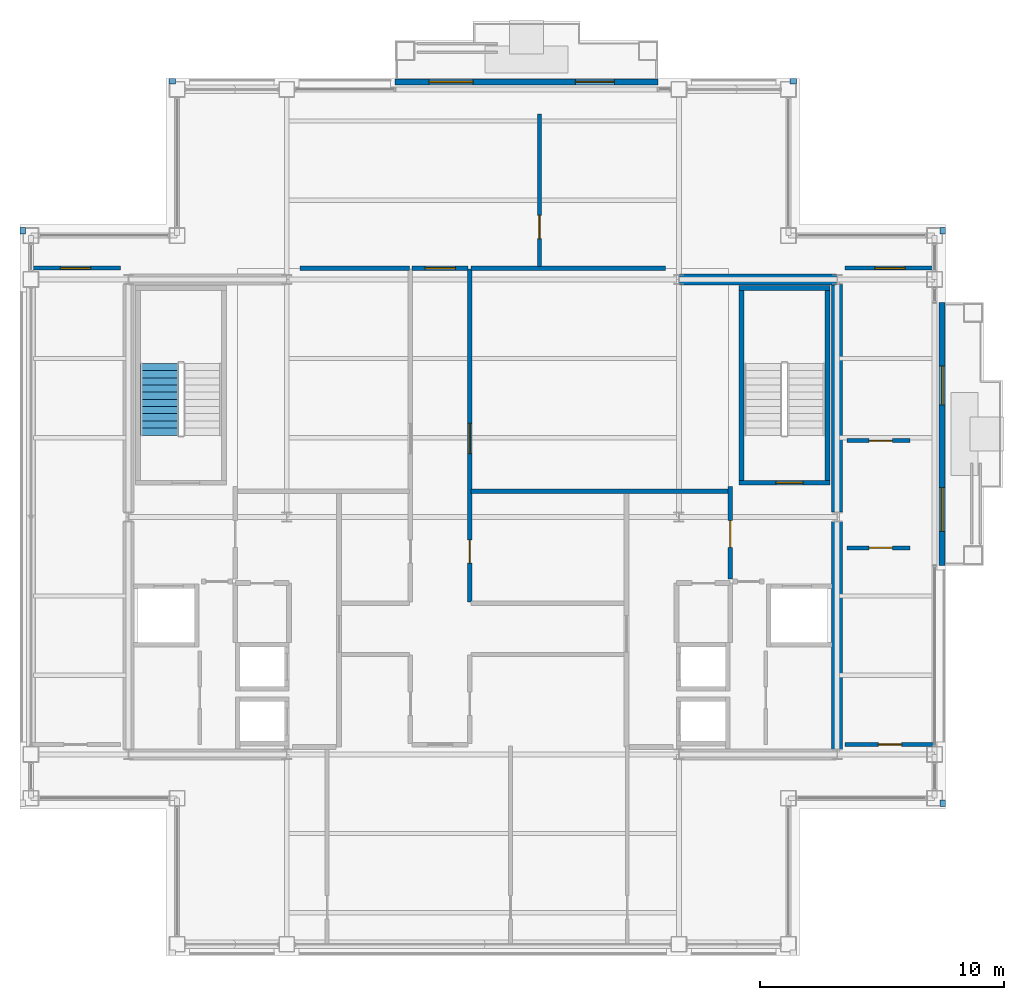
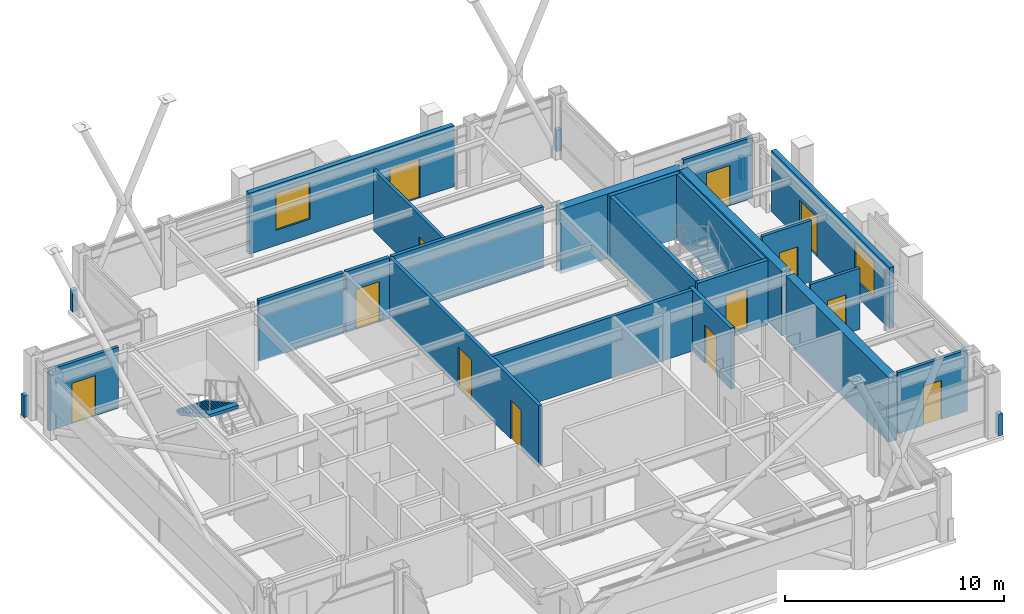
# One storey, part 27 of 30: 26 walls, 13 doors, 2 windows, 1 stair flight, 15 openings, 1 element without a shape of its own.
"""IFC4 building model written with IfcOpenShell, lengths in metres."""

from ifc_helpers import new_model, si_unit, direction, frame, frame_2d, origin, place, context, subcontext, project, spatial, polyline, rectangle, outline, extrude, material, layer, layer_set, type_object, element, fill, aggregate, save


model = new_model("IFC4")

# Units and contexts
model_context = context("Model", 3, precision=1e-05, world=origin(), true_north=direction((0.0, 1.0)))
body_context = subcontext(model_context, "Body", "Model", "MODEL_VIEW")
ifc_project = project(units=[si_unit("LENGTHUNIT", "METRE"), si_unit("AREAUNIT", "SQUARE_METRE"), si_unit("VOLUMEUNIT", "CUBIC_METRE"), si_unit("PLANEANGLEUNIT", "RADIAN"), si_unit("MASSUNIT", "GRAM", prefix="KILO")], contexts=[model_context])

# Site, building, storey
site_placement = place(None, origin())
site = spatial("IfcSite", under=ifc_project, at=site_placement, CompositionType="ELEMENT")
building_placement = place(site_placement, origin())
building = spatial("IfcBuilding", under=site, at=building_placement, Name="Brelmoor Portico Tower", CompositionType="ELEMENT")
storey_placement = place(building_placement, frame((0.0, 0.0, 236.39990234375)))
storey = spatial("IfcBuildingStorey", under=building, at=storey_placement, Name="L62", CompositionType="ELEMENT", Elevation=236.39990234375)

# Walls
ifc_material_1 = material(Name="Concrete C50", Category="concrete")
ifc_layer_1 = layer(ifc_material_1, 0.449951171875)
ifc_layer_set_1 = layer_set([ifc_layer_1], Name="Concrete C50")
wall_type_1 = type_object("IfcWallType", Name="WL-CORE-450", PredefinedType="SHEAR", material=ifc_layer_set_1)
wall_1_placement = place(storey_placement, frame((8.070068359375, 9.75, -0.199951171875), z_axis=(0.0, 0.0, 1.0), x_axis=(1.0, 0.0, 0.0)))
element("IfcWall", 1, at=wall_1_placement, inside=storey, type_object=wall_type_1, Name="L62 EC North Shear Wall", PredefinedType="SHEAR", context=body_context, shape_type="SweptSolid", body=[
    extrude(rectangle(XDim=6.4599609375, YDim=0.449951171875, at=frame_2d((3.22998046875, 0.0))), origin(), (0.0, 0.0, 1.0), 3.60009765625),
])
for number, where, z_axis, x_axis, name in (
    (2, (14.550048828125, -9.550048828125, -0.199951171875), (0.0, 0.0, 1.0), (0.0, 1.0, 0.0), "L62 EC Outer South Shear Wall"),
    (3, (14.550048828125, 0.199951171875, -0.199951171875), (0.0, 0.0, 1.0), (0.0, 1.0, 0.0), "L62 EC Outer North Shear Wall"),
):
    element("IfcWall", number, at=place(storey_placement, frame(where, z_axis=z_axis, x_axis=x_axis)), inside=storey, type_object=wall_type_1, Name=name, PredefinedType="SHEAR", context=body_context, shape_type="SweptSolid", body=[
        extrude(rectangle(XDim=9.35009765625, YDim=0.449951171875, at=frame_2d((4.675048828125, 0.0))), origin(), (0.0, 0.0, 1.0), 3.60009765625),
    ])

# Wall, openings, door, window
ifc_material_2 = material(Name="Precast Concrete C40 Insulated Facade Wall", Category="concrete")
ifc_layer_2 = layer(ifc_material_2, 0.25)
ifc_layer_set_2 = layer_set([ifc_layer_2], Name="Precast Concrete C40 Insulated Facade Wall")
wall_type_2 = type_object("IfcWallType", Name="WL-EXT-250", PredefinedType="STANDARD", material=ifc_layer_set_2)
wall_2_placement = place(storey_placement, frame((-3.60009765625, 17.860107421875, 0.0), z_axis=(0.0, 0.0, 1.0), x_axis=(1.0, 0.0, 0.0)))
wall_2 = element("IfcWall", 4, at=wall_2_placement, inside=storey, type_object=wall_type_2, Name="L62 Loggia Threshold Wall N-1", PredefinedType="STANDARD", context=body_context, shape_type="SweptSolid", body=[
    extrude(rectangle(XDim=10.800048828125, YDim=0.25, at=frame_2d((5.39990234375, 0.0))), origin(), (0.0, 0.0, 1.0), 3.400146484375),
])
opening_1_placement = place(wall_2_placement, frame((7.39990234375, 0.0, 0.0)))
opening_1 = element("IfcOpeningElement", 5, at=opening_1_placement, cuts=wall_2, Name="Opening D-TB1", PredefinedType="OPENING", context=body_context, shape_type="SweptSolid", body=[
    extrude(rectangle(XDim=1.60009765625, YDim=2.199951171875, at=frame_2d((0.800048828125, 1.10009765625))), frame((0.0, 0.135009765625, 0.0), z_axis=(0.0, -1.0, 0.0), x_axis=(1.0, 0.0, 0.0)), (0.0, 0.0, 1.0), 0.27001953125),
])
opening_2_placement = place(wall_2_placement, frame((1.39990234375, 0.0, 0.85009765625)))
opening_2 = element("IfcOpeningElement", 6, at=opening_2_placement, cuts=wall_2, Name="Opening W-03C", PredefinedType="OPENING", context=body_context, shape_type="SweptSolid", body=[
    extrude(rectangle(XDim=1.800048828125, YDim=2.050048828125, at=frame_2d((0.89990234375, 1.02490234375))), frame((0.0, 0.135009765625, 0.0), z_axis=(0.0, -1.0, 0.0), x_axis=(1.0, 0.0, 0.0)), (0.0, 0.0, 1.0), 0.27001953125),
])
ifc_material_3 = material(Name="Double-Leaf Thermally Broken Terrace Door", Category="aluminium")
door_type_1 = type_object("IfcDoorType", Name="DR-BALCONY-1600", OperationType="NOTDEFINED", PredefinedType="DOOR", material=ifc_material_3)
door_1_placement = place(opening_1_placement, origin())
door_1 = element("IfcDoor", 7, at=door_1_placement, inside=storey, type_object=door_type_1, Name="D-2582 L62 Tree Balcony Double Door N", OperationType="DOUBLE_DOOR_SINGLE_SWING", OverallHeight=2.199951171875, OverallWidth=1.60009765625, PredefinedType="DOOR", context=body_context, shape_type="SweptSolid", body=[
    extrude(rectangle(XDim=1.60009765625, YDim=2.199951171875, at=frame_2d((0.800048828125, 1.10009765625))), frame((0.0, 0.02490234375, 0.0), z_axis=(0.0, -1.0, 0.0), x_axis=(1.0, 0.0, 0.0)), (0.0, 0.0, 1.0), 0.050048828125),
])
fill(opening_1, door_1)
ifc_material_4 = material(Name="Thermally Broken Aluminium Low-E Window", Category="aluminium")
window_type = type_object("IfcWindowType", Name="WN-LOGGIA-1800x2050", PartitioningType="SINGLE_PANEL", PredefinedType="WINDOW", material=ifc_material_4)
window_1_placement = place(opening_2_placement, origin())
window_1 = element("IfcWindow", 8, at=window_1_placement, inside=storey, type_object=window_type, Name="L62 Loggia Window N", OverallHeight=2.050048828125, OverallWidth=1.800048828125, PartitioningType="SINGLE_PANEL", PredefinedType="WINDOW", context=body_context, shape_type="SweptSolid", body=[
    extrude(rectangle(XDim=1.800048828125, YDim=2.050048828125, at=frame_2d((0.89990234375, 1.02490234375))), frame((0.0, 0.030029296875, 0.0), z_axis=(0.0, -1.0, 0.0), x_axis=(1.0, 0.0, 0.0)), (0.0, 0.0, 1.0), 0.06005859375),
])
fill(opening_2, window_1)

wall_3_placement = place(storey_placement, frame((18.860107421875, -2.0, 0.0), z_axis=(0.0, 0.0, 1.0), x_axis=(0.0, 1.0, 0.0)))
wall_3 = element("IfcWall", 9, at=wall_3_placement, inside=storey, type_object=wall_type_2, Name="L62 Loggia Threshold Wall E-1", PredefinedType="STANDARD", context=body_context, shape_type="SweptSolid", body=[
    extrude(rectangle(XDim=10.800048828125, YDim=0.25, at=frame_2d((5.39990234375, 0.0))), origin(), (0.0, 0.0, 1.0), 3.400146484375),
])
opening_3_placement = place(wall_3_placement, frame((6.60009765625, 0.0, 0.0)))
opening_3 = element("IfcOpeningElement", 10, at=opening_3_placement, cuts=wall_3, Name="Opening D-TB1", PredefinedType="OPENING", context=body_context, shape_type="SweptSolid", body=[
    extrude(rectangle(XDim=1.60009765625, YDim=2.199951171875, at=frame_2d((0.800048828125, 1.10009765625))), frame((0.0, 0.135009765625, 0.0), z_axis=(0.0, -1.0, 0.0), x_axis=(1.0, 0.0, 0.0)), (0.0, 0.0, 1.0), 0.27001953125),
])
opening_4_placement = place(wall_3_placement, frame((1.39990234375, 0.0, 0.85009765625)))
opening_4 = element("IfcOpeningElement", 11, at=opening_4_placement, cuts=wall_3, Name="Opening W-03C", PredefinedType="OPENING", context=body_context, shape_type="SweptSolid", body=[
    extrude(rectangle(XDim=1.800048828125, YDim=2.050048828125, at=frame_2d((0.89990234375, 1.02490234375))), frame((0.0, 0.135009765625, 0.0), z_axis=(0.0, -1.0, 0.0), x_axis=(1.0, 0.0, 0.0)), (0.0, 0.0, 1.0), 0.27001953125),
])
door_2_placement = place(opening_3_placement, origin())
door_2 = element("IfcDoor", 12, at=door_2_placement, inside=storey, type_object=door_type_1, Name="D-2581 L62 Tree Balcony Double Door E", OperationType="DOUBLE_DOOR_SINGLE_SWING", OverallHeight=2.199951171875, OverallWidth=1.60009765625, PredefinedType="DOOR", context=body_context, shape_type="SweptSolid", body=[
    extrude(rectangle(XDim=1.60009765625, YDim=2.199951171875, at=frame_2d((0.800048828125, 1.10009765625))), frame((0.0, 0.02490234375, 0.0), z_axis=(0.0, -1.0, 0.0), x_axis=(1.0, 0.0, 0.0)), (0.0, 0.0, 1.0), 0.050048828125),
])
fill(opening_3, door_2)
window_2_placement = place(opening_4_placement, origin())
window_2 = element("IfcWindow", 13, at=window_2_placement, inside=storey, type_object=window_type, Name="L62 Loggia Window E", OverallHeight=2.050048828125, OverallWidth=1.800048828125, PartitioningType="SINGLE_PANEL", PredefinedType="WINDOW", context=body_context, shape_type="SweptSolid", body=[
    extrude(rectangle(XDim=1.800048828125, YDim=2.050048828125, at=frame_2d((0.89990234375, 1.02490234375))), frame((0.0, 0.030029296875, 0.0), z_axis=(0.0, -1.0, 0.0), x_axis=(1.0, 0.0, 0.0)), (0.0, 0.0, 1.0), 0.06005859375),
])
fill(opening_4, window_2)

# Walls
ifc_material_5 = material(Name="Concrete C40 Parapet Upstand", Category="concrete")
ifc_layer_3 = layer(ifc_material_5, 0.219970703125)
ifc_layer_set_3 = layer_set([ifc_layer_3], Name="Concrete C40 Parapet Upstand")
wall_type_3 = type_object("IfcWallType", Name="WL-PARAPET-220", PredefinedType="PARAPET", material=ifc_layer_set_3)
for number, where, z_axis, x_axis, name in (
    (14, (18.889892578125, -11.889892578125, 0.0), (0.0, 0.0, 1.0), (0.0, 1.0, 0.0), "L62 Chamfer Vertex Parapet Pier SE2"),
    (15, (-12.889892578125, 17.889892578125, 0.0), (0.0, 0.0, 1.0), (1.0, 0.0, 0.0), "L62 Chamfer Vertex Parapet Pier NW1"),
    (16, (-18.889892578125, 11.6201171875, 0.0), (0.0, 0.0, 1.0), (0.0, 1.0, 0.0), "L62 Chamfer Vertex Parapet Pier NW2"),
    (17, (12.6201171875, 17.889892578125, 0.0), (0.0, 0.0, 1.0), (1.0, 0.0, 0.0), "L62 Chamfer Vertex Parapet Pier NE1"),
    (18, (18.889892578125, 11.6201171875, 0.0), (0.0, 0.0, 1.0), (0.0, 1.0, 0.0), "L62 Chamfer Vertex Parapet Pier NE2"),
):
    element("IfcWall", number, at=place(storey_placement, frame(where, z_axis=z_axis, x_axis=x_axis)), inside=storey, type_object=wall_type_3, Name=name, PredefinedType="PARAPET", context=body_context, shape_type="SweptSolid", body=[
        extrude(rectangle(XDim=0.269775390625, YDim=0.219970703125, at=frame_2d((0.134765625, 0.0))), origin(), (0.0, 0.0, 1.0), 1.2001953125),
    ])

# Wall, opening, door
ifc_material_6 = material(Name="Twin-Frame Acoustic Partition", Category="gypsum")
ifc_layer_4 = layer(ifc_material_6, 0.159912109375)
ifc_layer_set_4 = layer_set([ifc_layer_4], Name="Twin-Frame Acoustic Partition")
wall_type_4 = type_object("IfcWallType", Name="WL-PART-160", PredefinedType="PARTITIONING", material=ifc_layer_set_4)
wall_4_placement = place(storey_placement, frame((2.330078125, 10.27001953125, 0.0), z_axis=(0.0, 0.0, 1.0), x_axis=(0.0, 1.0, 0.0)))
wall_4 = element("IfcWall", 19, at=wall_4_placement, inside=storey, type_object=wall_type_4, Name="L62 North Suite Partition 1", PredefinedType="PARTITIONING", context=body_context, shape_type="SweptSolid", body=[
    extrude(rectangle(XDim=6.280029296875, YDim=0.159912109375, at=frame_2d((3.14013671875, 0.0))), origin(), (0.0, 0.0, 1.0), 3.400146484375),
])
opening_5_placement = place(wall_4_placement, frame((1.14990234375, 0.0, 0.0)))
opening_5 = element("IfcOpeningElement", 20, at=opening_5_placement, cuts=wall_4, Name="Opening D-IN2", PredefinedType="OPENING", context=body_context, shape_type="SweptSolid", body=[
    extrude(rectangle(XDim=0.9599609375, YDim=2.179931640625, at=frame_2d((0.47998046875, 1.08984375))), frame((0.0, 0.08984375, 0.0), z_axis=(0.0, -1.0, 0.0), x_axis=(1.0, 0.0, 0.0)), (0.0, 0.0, 1.0), 0.179931640625),
])
ifc_material_7 = material(Name="Lacquered Timber Suite Door", Category="wood")
door_type_2 = type_object("IfcDoorType", Name="DR-INT-950", OperationType="NOTDEFINED", PredefinedType="DOOR", material=ifc_material_7)
door_3_placement = place(opening_5_placement, origin())
door_3 = element("IfcDoor", 21, at=door_3_placement, inside=storey, type_object=door_type_2, Name="D-2570 L62 North Suite Connecting Door 1", OperationType="SINGLE_SWING_RIGHT", OverallHeight=2.179931640625, OverallWidth=0.9599609375, PredefinedType="DOOR", context=body_context, shape_type="SweptSolid", body=[
    extrude(rectangle(XDim=0.9599609375, YDim=2.179931640625, at=frame_2d((0.47998046875, 1.08984375))), frame((0.0, 0.02490234375, 0.0), z_axis=(0.0, -1.0, 0.0), x_axis=(1.0, 0.0, 0.0)), (0.0, 0.0, 1.0), 0.050048828125),
])
fill(opening_5, door_3)

wall_5_placement = place(storey_placement, frame((-18.56005859375, 10.2099609375, 0.0), z_axis=(0.0, 0.0, 1.0), x_axis=(1.0, 0.0, 0.0)))
wall_5 = element("IfcWall", 22, at=wall_5_placement, inside=storey, type_object=wall_type_4, Name="L62 North Wing Suite Wall WL", PredefinedType="PARTITIONING", context=body_context, shape_type="SweptSolid", body=[
    extrude(rectangle(XDim=3.68017578125, YDim=0.159912109375, at=frame_2d((1.840087890625, 0.0))), origin(), (0.0, 0.0, 1.0), 3.400146484375),
])
opening_6_placement = place(wall_5_placement, frame((1.219970703125, 0.0, 0.0)))
opening_6 = element("IfcOpeningElement", 23, at=opening_6_placement, cuts=wall_5, Name="Opening D-SU1", PredefinedType="OPENING", context=body_context, shape_type="SweptSolid", body=[
    extrude(rectangle(XDim=1.239990234375, YDim=2.239990234375, at=frame_2d((0.6201171875, 1.1201171875))), frame((0.0, 0.08984375, 0.0), z_axis=(0.0, -1.0, 0.0), x_axis=(1.0, 0.0, 0.0)), (0.0, 0.0, 1.0), 0.179931640625),
])
ifc_material_8 = material(Name="Glazed Timber Executive Suite Door", Category="wood")
door_type_3 = type_object("IfcDoorType", Name="DR-SUITE-1200", OperationType="NOTDEFINED", PredefinedType="DOOR", material=ifc_material_8)
door_4_placement = place(opening_6_placement, origin())
door_4 = element("IfcDoor", 24, at=door_4_placement, inside=storey, type_object=door_type_3, Name="D-2572 L62 WL Wing Suite Connecting Door", OperationType="SINGLE_SWING_RIGHT", OverallHeight=2.239990234375, OverallWidth=1.239990234375, PredefinedType="DOOR", context=body_context, shape_type="SweptSolid", body=[
    extrude(rectangle(XDim=1.239990234375, YDim=2.239990234375, at=frame_2d((0.6201171875, 1.1201171875))), frame((0.0, 0.02490234375, 0.0), z_axis=(0.0, -1.0, 0.0), x_axis=(1.0, 0.0, 0.0)), (0.0, 0.0, 1.0), 0.050048828125),
])
fill(opening_6, door_4)

wall_6_placement = place(storey_placement, frame((14.8798828125, 10.2099609375, 0.0), z_axis=(0.0, 0.0, 1.0), x_axis=(1.0, 0.0, 0.0)))
wall_6 = element("IfcWall", 25, at=wall_6_placement, inside=storey, type_object=wall_type_4, Name="L62 North Wing Suite Wall ER", PredefinedType="PARTITIONING", context=body_context, shape_type="SweptSolid", body=[
    extrude(rectangle(XDim=3.68017578125, YDim=0.159912109375, at=frame_2d((1.840087890625, 0.0))), origin(), (0.0, 0.0, 1.0), 3.400146484375),
])
opening_7_placement = place(wall_6_placement, frame((1.219970703125, 0.0, 0.0)))
opening_7 = element("IfcOpeningElement", 26, at=opening_7_placement, cuts=wall_6, Name="Opening D-SU1", PredefinedType="OPENING", context=body_context, shape_type="SweptSolid", body=[
    extrude(rectangle(XDim=1.239990234375, YDim=2.239990234375, at=frame_2d((0.6201171875, 1.1201171875))), frame((0.0, 0.08984375, 0.0), z_axis=(0.0, -1.0, 0.0), x_axis=(1.0, 0.0, 0.0)), (0.0, 0.0, 1.0), 0.179931640625),
])
door_5_placement = place(opening_7_placement, origin())
door_5 = element("IfcDoor", 27, at=door_5_placement, inside=storey, type_object=door_type_3, Name="D-2571 L62 ER Wing Suite Connecting Door", OperationType="SINGLE_SWING_LEFT", OverallHeight=2.239990234375, OverallWidth=1.239990234375, PredefinedType="DOOR", context=body_context, shape_type="SweptSolid", body=[
    extrude(rectangle(XDim=1.239990234375, YDim=2.239990234375, at=frame_2d((0.6201171875, 1.1201171875))), frame((0.0, 0.02490234375, 0.0), z_axis=(0.0, -1.0, 0.0), x_axis=(1.0, 0.0, 0.0)), (0.0, 0.0, 1.0), 0.050048828125),
])
fill(opening_7, door_5)

wall_7_placement = place(storey_placement, frame((14.8798828125, -9.35009765625, 0.0), z_axis=(0.0, 0.0, 1.0), x_axis=(1.0, 0.0, 0.0)))
wall_7 = element("IfcWall", 28, at=wall_7_placement, inside=storey, type_object=wall_type_4, Name="L62 South Wing Closure ER", PredefinedType="PARTITIONING", context=body_context, shape_type="SweptSolid", body=[
    extrude(rectangle(XDim=3.68017578125, YDim=0.159912109375, at=frame_2d((1.840087890625, 0.0))), origin(), (0.0, 0.0, 1.0), 3.400146484375),
])
opening_8_placement = place(wall_7_placement, frame((1.360107421875, 0.0, 0.0)))
opening_8 = element("IfcOpeningElement", 29, at=opening_8_placement, cuts=wall_7, Name="Opening D-IN2", PredefinedType="OPENING", context=body_context, shape_type="SweptSolid", body=[
    extrude(rectangle(XDim=0.9599609375, YDim=2.179931640625, at=frame_2d((0.47998046875, 1.08984375))), frame((0.0, 0.08984375, 0.0), z_axis=(0.0, -1.0, 0.0), x_axis=(1.0, 0.0, 0.0)), (0.0, 0.0, 1.0), 0.179931640625),
])
door_6_placement = place(opening_8_placement, origin())
door_6 = element("IfcDoor", 30, at=door_6_placement, inside=storey, type_object=door_type_2, Name="D-2579 L62 ER Wing South Suite Door", OperationType="SINGLE_SWING_LEFT", OverallHeight=2.179931640625, OverallWidth=0.9599609375, PredefinedType="DOOR", context=body_context, shape_type="SweptSolid", body=[
    extrude(rectangle(XDim=0.9599609375, YDim=2.179931640625, at=frame_2d((0.47998046875, 1.08984375))), frame((0.0, 0.02490234375, 0.0), z_axis=(0.0, -1.0, 0.0), x_axis=(1.0, 0.0, 0.0)), (0.0, 0.0, 1.0), 0.050048828125),
])
fill(opening_8, door_6)

wall_8_placement = place(storey_placement, frame((14.9599609375, -1.27001953125, 0.0), z_axis=(0.0, 0.0, 1.0), x_axis=(1.0, 0.0, 0.0)))
wall_8 = element("IfcWall", 31, at=wall_8_placement, inside=storey, type_object=wall_type_4, Name="L62 E Wing Partition 1", PredefinedType="PARTITIONING", context=body_context, shape_type="SweptSolid", body=[
    extrude(rectangle(XDim=2.590087890625, YDim=0.159912109375, at=frame_2d((1.294921875, 0.0))), origin(), (0.0, 0.0, 1.0), 3.400146484375),
])
opening_9_placement = place(wall_8_placement, frame((0.89990234375, 0.0, 0.0)))
opening_9 = element("IfcOpeningElement", 32, at=opening_9_placement, cuts=wall_8, Name="Opening D-IN2", PredefinedType="OPENING", context=body_context, shape_type="SweptSolid", body=[
    extrude(rectangle(XDim=0.9599609375, YDim=2.179931640625, at=frame_2d((0.47998046875, 1.08984375))), frame((0.0, 0.08984375, 0.0), z_axis=(0.0, -1.0, 0.0), x_axis=(1.0, 0.0, 0.0)), (0.0, 0.0, 1.0), 0.179931640625),
])
door_7_placement = place(opening_9_placement, origin())
door_7 = element("IfcDoor", 33, at=door_7_placement, inside=storey, type_object=door_type_2, Name="D-2583 L62 E Wing Suite Connecting Door 1", OperationType="SINGLE_SWING_RIGHT", OverallHeight=2.179931640625, OverallWidth=0.9599609375, PredefinedType="DOOR", context=body_context, shape_type="SweptSolid", body=[
    extrude(rectangle(XDim=0.9599609375, YDim=2.179931640625, at=frame_2d((0.47998046875, 1.08984375))), frame((0.0, 0.02490234375, 0.0), z_axis=(0.0, -1.0, 0.0), x_axis=(1.0, 0.0, 0.0)), (0.0, 0.0, 1.0), 0.050048828125),
])
fill(opening_9, door_7)

wall_9_placement = place(storey_placement, frame((14.9599609375, 3.1298828125, 0.0), z_axis=(0.0, 0.0, 1.0), x_axis=(1.0, 0.0, 0.0)))
wall_9 = element("IfcWall", 34, at=wall_9_placement, inside=storey, type_object=wall_type_4, Name="L62 E Wing Partition 2", PredefinedType="PARTITIONING", context=body_context, shape_type="SweptSolid", body=[
    extrude(rectangle(XDim=2.590087890625, YDim=0.159912109375, at=frame_2d((1.294921875, 0.0))), origin(), (0.0, 0.0, 1.0), 3.400146484375),
])
opening_10_placement = place(wall_9_placement, frame((0.89990234375, 0.0, 0.0)))
opening_10 = element("IfcOpeningElement", 35, at=opening_10_placement, cuts=wall_9, Name="Opening D-IN2", PredefinedType="OPENING", context=body_context, shape_type="SweptSolid", body=[
    extrude(rectangle(XDim=0.9599609375, YDim=2.179931640625, at=frame_2d((0.47998046875, 1.08984375))), frame((0.0, 0.08984375, 0.0), z_axis=(0.0, -1.0, 0.0), x_axis=(1.0, 0.0, 0.0)), (0.0, 0.0, 1.0), 0.179931640625),
])
door_8_placement = place(opening_10_placement, origin())
door_8 = element("IfcDoor", 36, at=door_8_placement, inside=storey, type_object=door_type_2, Name="D-2584 L62 E Wing Suite Connecting Door 2", OperationType="SINGLE_SWING_LEFT", OverallHeight=2.179931640625, OverallWidth=0.9599609375, PredefinedType="DOOR", context=body_context, shape_type="SweptSolid", body=[
    extrude(rectangle(XDim=0.9599609375, YDim=2.179931640625, at=frame_2d((0.47998046875, 1.08984375))), frame((0.0, 0.02490234375, 0.0), z_axis=(0.0, -1.0, 0.0), x_axis=(1.0, 0.0, 0.0)), (0.0, 0.0, 1.0), 0.050048828125),
])
fill(opening_10, door_8)

# Walls
ifc_material_9 = material(Name="Acoustic Corridor Fire Partition", Category="gypsum")
ifc_layer_5 = layer(ifc_material_9, 0.179931640625)
ifc_layer_set_5 = layer_set([ifc_layer_5], Name="Acoustic Corridor Fire Partition")
wall_type_5 = type_object("IfcWallType", Name="WL-PART-180", PredefinedType="PARTITIONING", material=ifc_layer_set_5)
wall_10_placement = place(storey_placement, frame((-7.5, 10.2099609375, 0.0), z_axis=(0.0, 0.0, 1.0), x_axis=(1.0, 0.0, 0.0)))
element("IfcWall", 37, at=wall_10_placement, inside=storey, type_object=wall_type_5, Name="L62 West Reclaimed Suite North Wall", PredefinedType="PARTITIONING", context=body_context, shape_type="SweptSolid", body=[
    extrude(rectangle(XDim=4.489990234375, YDim=0.179931640625, at=frame_2d((2.2451171875, 0.0))), origin(), (0.0, 0.0, 1.0), 3.400146484375),
])
wall_11_placement = place(storey_placement, frame((-0.489990234375, 1.050048828125, 0.0), z_axis=(0.0, 0.0, 1.0), x_axis=(1.0, 0.0, 0.0)))
element("IfcWall", 38, at=wall_11_placement, inside=storey, type_object=wall_type_5, Name="L62 East Suite South Wall", PredefinedType="PARTITIONING", context=body_context, shape_type="SweptSolid", body=[
    extrude(rectangle(XDim=10.550048828125, YDim=0.179931640625, at=frame_2d((5.27490234375, 0.0))), origin(), (0.0, 0.0, 1.0), 3.400146484375),
])

# Wall, openings, doors
wall_12_placement = place(storey_placement, frame((-0.530029296875, -3.5, 0.0), z_axis=(0.0, 0.0, 1.0), x_axis=(0.0, 1.0, 0.0)))
wall_12 = element("IfcWall", 39, at=wall_12_placement, inside=storey, type_object=wall_type_5, Name="L62 Central Cross East Wall", PredefinedType="PARTITIONING", context=body_context, shape_type="SweptSolid", body=[
    extrude(rectangle(XDim=13.669921875, YDim=0.179931640625, at=frame_2d((6.8349609375, 0.0))), origin(), (0.0, 0.0, 1.0), 3.400146484375),
])
opening_11_placement = place(wall_12_placement, frame((6.10009765625, 0.0, 0.0)))
opening_11 = element("IfcOpeningElement", 40, at=opening_11_placement, cuts=wall_12, Name="Opening D-SU1", PredefinedType="OPENING", context=body_context, shape_type="SweptSolid", body=[
    extrude(rectangle(XDim=1.239990234375, YDim=2.239990234375, at=frame_2d((0.6201171875, 1.1201171875))), frame((0.0, 0.099853515625, 0.0), z_axis=(0.0, -1.0, 0.0), x_axis=(1.0, 0.0, 0.0)), (0.0, 0.0, 1.0), 0.199951171875),
])
opening_12_placement = place(wall_12_placement, frame((1.60009765625, 0.0, 0.0)))
opening_12 = element("IfcOpeningElement", 41, at=opening_12_placement, cuts=wall_12, Name="Opening D-IN2", PredefinedType="OPENING", context=body_context, shape_type="SweptSolid", body=[
    extrude(rectangle(XDim=0.9599609375, YDim=2.179931640625, at=frame_2d((0.47998046875, 1.08984375))), frame((0.0, 0.099853515625, 0.0), z_axis=(0.0, -1.0, 0.0), x_axis=(1.0, 0.0, 0.0)), (0.0, 0.0, 1.0), 0.199951171875),
])
door_9_placement = place(opening_12_placement, origin())
door_9 = element("IfcDoor", 42, at=door_9_placement, inside=storey, type_object=door_type_2, Name="D-2553 L62 Client Project Office Door", OperationType="SINGLE_SWING_LEFT", OverallHeight=2.179931640625, OverallWidth=0.9599609375, PredefinedType="DOOR", context=body_context, shape_type="SweptSolid", body=[
    extrude(rectangle(XDim=0.9599609375, YDim=2.179931640625, at=frame_2d((0.47998046875, 1.08984375))), frame((0.0, 0.02490234375, 0.0), z_axis=(0.0, -1.0, 0.0), x_axis=(1.0, 0.0, 0.0)), (0.0, 0.0, 1.0), 0.050048828125),
])
fill(opening_12, door_9)
door_10_placement = place(opening_11_placement, origin())
door_10 = element("IfcDoor", 43, at=door_10_placement, inside=storey, type_object=door_type_3, Name="D-2554 L62 East Reclaimed Studio Door", OperationType="SINGLE_SWING_RIGHT", OverallHeight=2.239990234375, OverallWidth=1.239990234375, PredefinedType="DOOR", context=body_context, shape_type="SweptSolid", body=[
    extrude(rectangle(XDim=1.239990234375, YDim=2.239990234375, at=frame_2d((0.6201171875, 1.1201171875))), frame((0.0, 0.02490234375, 0.0), z_axis=(0.0, -1.0, 0.0), x_axis=(1.0, 0.0, 0.0)), (0.0, 0.0, 1.0), 0.050048828125),
])
fill(opening_11, door_10)

# Wall
wall_13_placement = place(storey_placement, frame((-0.489990234375, 10.2099609375, 0.0), z_axis=(0.0, 0.0, 1.0), x_axis=(1.0, 0.0, 0.0)))
element("IfcWall", 44, at=wall_13_placement, inside=storey, type_object=wall_type_5, Name="L62 East Suite North Wall", PredefinedType="PARTITIONING", context=body_context, shape_type="SweptSolid", body=[
    extrude(rectangle(XDim=7.989990234375, YDim=0.179931640625, at=frame_2d((3.9951171875, 0.0))), origin(), (0.0, 0.0, 1.0), 3.400146484375),
])

# Wall, opening, door
wall_14_placement = place(storey_placement, frame((-2.89990234375, 10.2099609375, 0.0), z_axis=(0.0, 0.0, 1.0), x_axis=(1.0, 0.0, 0.0)))
wall_14 = element("IfcWall", 45, at=wall_14_placement, inside=storey, type_object=wall_type_5, Name="L62 North Corridor Partition", PredefinedType="PARTITIONING", context=body_context, shape_type="SweptSolid", body=[
    extrude(rectangle(XDim=2.2998046875, YDim=0.179931640625, at=frame_2d((1.14990234375, 0.0))), origin(), (0.0, 0.0, 1.0), 3.400146484375),
])
opening_13_placement = place(wall_14_placement, frame((0.530029296875, 0.0, 0.0)))
opening_13 = element("IfcOpeningElement", 46, at=opening_13_placement, cuts=wall_14, Name="Opening D-SU1", PredefinedType="OPENING", context=body_context, shape_type="SweptSolid", body=[
    extrude(rectangle(XDim=1.239990234375, YDim=2.239990234375, at=frame_2d((0.6201171875, 1.1201171875))), frame((0.0, 0.099853515625, 0.0), z_axis=(0.0, -1.0, 0.0), x_axis=(1.0, 0.0, 0.0)), (0.0, 0.0, 1.0), 0.199951171875),
])
door_11_placement = place(opening_13_placement, origin())
door_11 = element("IfcDoor", 47, at=door_11_placement, inside=storey, type_object=door_type_3, Name="D-2569 L62 North Project Mail Room 1 Door", OperationType="SINGLE_SWING_LEFT", OverallHeight=2.239990234375, OverallWidth=1.239990234375, PredefinedType="DOOR", context=body_context, shape_type="SweptSolid", body=[
    extrude(rectangle(XDim=1.239990234375, YDim=2.239990234375, at=frame_2d((0.6201171875, 1.1201171875))), frame((0.0, 0.02490234375, 0.0), z_axis=(0.0, -1.0, 0.0), x_axis=(1.0, 0.0, 0.0)), (0.0, 0.0, 1.0), 0.050048828125),
])
fill(opening_13, door_11)

ifc_material_10 = material(Name="Double-Stud Gypsum Fire Partition", Category="gypsum")
ifc_layer_6 = layer(ifc_material_10, 0.199951171875)
ifc_layer_set_6 = layer_set([ifc_layer_6], Name="Double-Stud Gypsum Fire Partition")
wall_type_6 = type_object("IfcWallType", Name="WL-PART-200", PredefinedType="PARTITIONING", material=ifc_layer_set_6)
wall_15_placement = place(storey_placement, frame((10.159912109375, -2.550048828125, 0.0), z_axis=(0.0, 0.0, 1.0), x_axis=(0.0, 1.0, 0.0)))
wall_15 = element("IfcWall", 48, at=wall_15_placement, inside=storey, type_object=wall_type_6, Name="L62 E Firefighting Lobby Wall", PredefinedType="PARTITIONING", context=body_context, shape_type="SweptSolid", body=[
    extrude(rectangle(XDim=3.800048828125, YDim=0.199951171875, at=frame_2d((1.89990234375, 0.0))), origin(), (0.0, 0.0, 1.0), 3.400146484375),
])
opening_14_placement = place(wall_15_placement, frame((1.300048828125, 0.0, 0.0)))
opening_14 = element("IfcOpeningElement", 49, at=opening_14_placement, cuts=wall_15, Name="Opening D-FR1", PredefinedType="OPENING", context=body_context, shape_type="SweptSolid", body=[
    extrude(rectangle(XDim=1.10009765625, YDim=2.14990234375, at=frame_2d((0.550048828125, 1.074951171875))), frame((0.0, 0.10986328125, 0.0), z_axis=(0.0, -1.0, 0.0), x_axis=(1.0, 0.0, 0.0)), (0.0, 0.0, 1.0), 0.219970703125),
])
ifc_material_11 = material(Name="Painted Galvanised Steel Fire Door", Category="steel")
door_type_4 = type_object("IfcDoorType", Name="DR-FIRE-1100", OperationType="NOTDEFINED", PredefinedType="DOOR", material=ifc_material_11)
door_12_placement = place(opening_14_placement, origin())
door_12 = element("IfcDoor", 50, at=door_12_placement, inside=storey, type_object=door_type_4, Name="D-2565 L62 E Firefighting Lobby Door", OperationType="SINGLE_SWING_RIGHT", OverallHeight=2.14990234375, OverallWidth=1.10009765625, PredefinedType="DOOR", context=body_context, shape_type="SweptSolid", body=[
    extrude(rectangle(XDim=1.10009765625, YDim=2.14990234375, at=frame_2d((0.550048828125, 1.074951171875))), frame((0.0, 0.02490234375, 0.0), z_axis=(0.0, -1.0, 0.0), x_axis=(1.0, 0.0, 0.0)), (0.0, 0.0, 1.0), 0.050048828125),
])
fill(opening_14, door_12)

# Wall
ifc_material_12 = material(Name="Concrete C40", Category="concrete")
ifc_layer_7 = layer(ifc_material_12, 0.199951171875)
ifc_layer_set_7 = layer_set([ifc_layer_7], Name="Concrete C40")
wall_type_7 = type_object("IfcWallType", Name="WL-SHAFT-RC200", PredefinedType="SOLIDWALL", material=ifc_layer_set_7)
wall_16_placement = place(storey_placement, frame((14.14990234375, 1.5, -0.199951171875), z_axis=(0.0, 0.0, 1.0), x_axis=(0.0, 1.0, 0.0)))
element("IfcWall", 51, at=wall_16_placement, inside=storey, type_object=wall_type_7, Name="L62 ST-E Structural Stair Wall Outer", PredefinedType="SOLIDWALL", context=body_context, shape_type="SweptSolid", body=[
    extrude(rectangle(XDim=7.800048828125, YDim=0.199951171875, at=frame_2d((3.89990234375, 0.0))), origin(), (0.0, 0.0, 1.0), 3.60009765625),
])

# Wall, opening, door
wall_17_placement = place(storey_placement, frame((10.530029296875, 1.39990234375, -0.199951171875), z_axis=(0.0, 0.0, 1.0), x_axis=(1.0, 0.0, 0.0)))
wall_17 = element("IfcWall", 52, at=wall_17_placement, inside=storey, type_object=wall_type_7, Name="L62 ST-E Structural Stair Wall S", PredefinedType="SOLIDWALL", context=body_context, shape_type="SweptSolid", body=[
    extrude(rectangle(XDim=3.719970703125, YDim=0.199951171875, at=frame_2d((1.85986328125, 0.0))), origin(), (0.0, 0.0, 1.0), 3.60009765625),
])
opening_15_placement = place(wall_17_placement, frame((1.5, 0.0, 0.199951171875)))
opening_15 = element("IfcOpeningElement", 53, at=opening_15_placement, cuts=wall_17, Name="Opening D-ST1", PredefinedType="OPENING", context=body_context, shape_type="SweptSolid", body=[
    extrude(rectangle(XDim=1.1201171875, YDim=2.179931640625, at=frame_2d((0.56005859375, 1.08984375))), frame((0.0, 0.10986328125, 0.0), z_axis=(0.0, -1.0, 0.0), x_axis=(1.0, 0.0, 0.0)), (0.0, 0.0, 1.0), 0.219970703125),
])
door_type_5 = type_object("IfcDoorType", Name="DR-STAIR-1100", OperationType="NOTDEFINED", PredefinedType="DOOR", material=ifc_material_11)
door_13_placement = place(opening_15_placement, origin())
door_13 = element("IfcDoor", 54, at=door_13_placement, inside=storey, type_object=door_type_5, Name="D-2577 L62 ST-E Protected Exit Stair Door", OperationType="SINGLE_SWING_RIGHT", OverallHeight=2.179931640625, OverallWidth=1.1201171875, PredefinedType="DOOR", context=body_context, shape_type="SweptSolid", body=[
    extrude(rectangle(XDim=1.1201171875, YDim=2.179931640625, at=frame_2d((0.56005859375, 1.08984375))), frame((0.0, 0.02490234375, 0.0), z_axis=(0.0, -1.0, 0.0), x_axis=(1.0, 0.0, 0.0)), (0.0, 0.0, 1.0), 0.050048828125),
])
fill(opening_15, door_13)

# Walls
wall_18_placement = place(storey_placement, frame((10.530029296875, 9.39990234375, -0.199951171875), z_axis=(0.0, 0.0, 1.0), x_axis=(1.0, 0.0, 0.0)))
element("IfcWall", 55, at=wall_18_placement, inside=storey, type_object=wall_type_7, Name="L62 ST-E Structural Stair Wall N", PredefinedType="SOLIDWALL", context=body_context, shape_type="SweptSolid", body=[
    extrude(rectangle(XDim=3.719970703125, YDim=0.199951171875, at=frame_2d((1.85986328125, 0.0))), origin(), (0.0, 0.0, 1.0), 3.60009765625),
])
wall_19_placement = place(storey_placement, frame((10.6298828125, 1.5, -0.199951171875), z_axis=(0.0, 0.0, 1.0), x_axis=(0.0, 1.0, 0.0)))
element("IfcWall", 56, at=wall_19_placement, inside=storey, type_object=wall_type_7, Name="L62 ST-E Structural Stair Wall Inner", PredefinedType="SOLIDWALL", context=body_context, shape_type="SweptSolid", body=[
    extrude(rectangle(XDim=7.800048828125, YDim=0.199951171875, at=frame_2d((3.89990234375, 0.0))), origin(), (0.0, 0.0, 1.0), 3.60009765625),
])

# Stair, stair flight
stair_type = type_object("IfcStairType", Name="ST-CORE-W", PredefinedType="HALF_TURN_STAIR", material=ifc_material_12)
stair_placement = place(storey_placement, origin())
stair = element("IfcStair", 57, at=stair_placement, inside=storey, type_object=stair_type, Name="L62 Protected Core Exit Stair ST-W", PredefinedType="HALF_TURN_STAIR")
stair_flight_type = type_object("IfcStairFlightType", Name="SF-CORE-1850", PredefinedType="STRAIGHT", material=ifc_material_12)
stair_flight_placement = place(storey_placement, frame((-13.27001953125, 6.300048828125, 1.800048828125), z_axis=(0.0, 0.0, 1.0), x_axis=(0.0, -1.0, 0.0)))
stair_flight = element("IfcStairFlight", 58, at=stair_flight_placement, type_object=stair_flight_type, Name="ST-W flight 2", NumberOfRisers=11, NumberOfTreads=10, PredefinedType="STRAIGHT", RiserHeight=0.163636364, TreadLength=0.295, context=body_context, shape_type="SweptSolid", body=[
    extrude(outline(polyline([(0.0, 0.0), (0.0, 0.16357421875), (0.294921875, 0.16357421875), (0.294921875, 0.327392578125), (0.590087890625, 0.327392578125), (0.590087890625, 0.490966796875), (0.885009765625, 0.490966796875), (0.885009765625, 0.654541015625), (1.179931640625, 0.654541015625), (1.179931640625, 0.818115234375), (1.47509765625, 0.818115234375), (1.47509765625, 0.98193359375), (1.77001953125, 0.98193359375), (1.77001953125, 1.1455078125), (2.06494140625, 1.1455078125), (2.06494140625, 1.30908203125), (2.360107421875, 1.30908203125), (2.360107421875, 1.47265625), (2.655029296875, 1.47265625), (2.655029296875, 1.636474609375), (2.949951171875, 1.636474609375), (2.949951171875, 1.800048828125), (2.949951171875, 1.46484375), (0.30908203125, 0.0), (0.0, 0.0)])), frame((0.0, 0.780029296875, 0.0), z_axis=(0.0, -1.0, 0.0), x_axis=(1.0, 0.0, 0.0)), (0.0, 0.0, 1.0), 1.56005859375),
])
aggregate(stair, [stair_flight])

save(model, "model.ifc")
